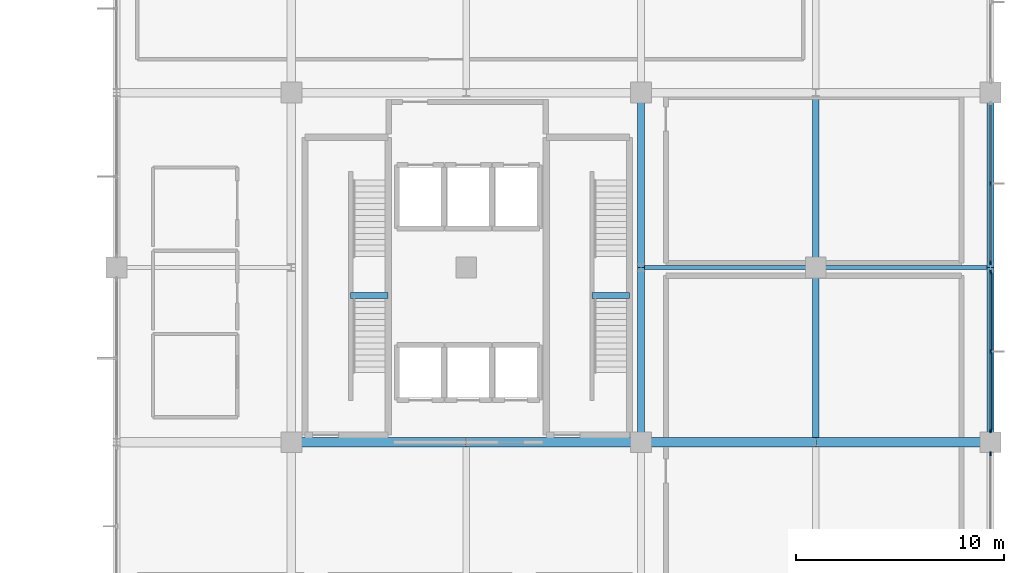
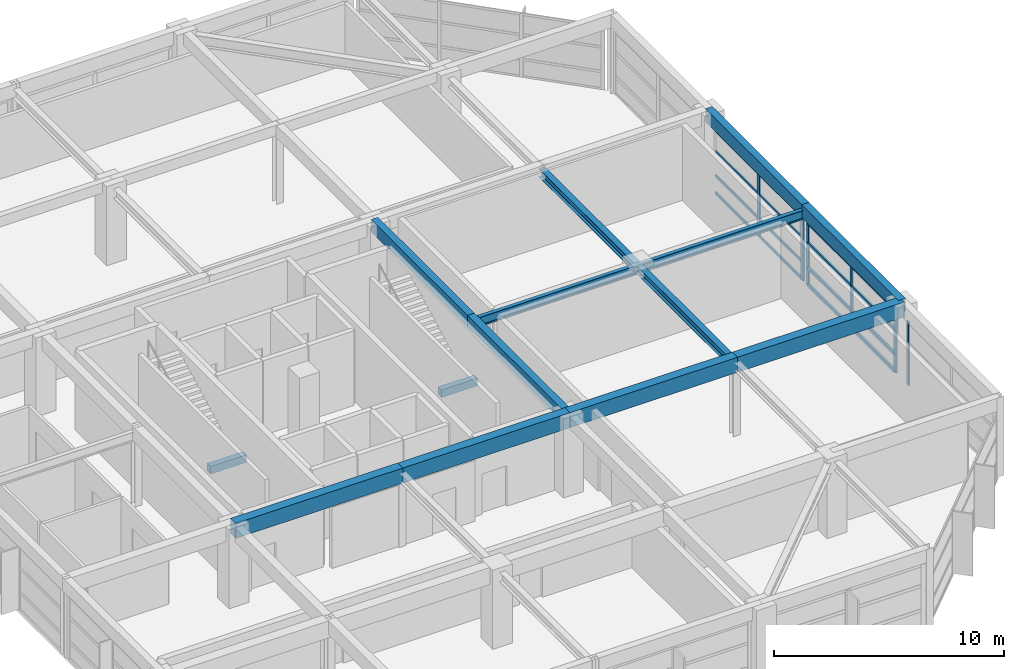
# One storey, part 21 of 32: 22 members, 14 beams, 3 elements without a shape of their own.
"""IFC4 building model written with IfcOpenShell, lengths in metres."""

from ifc_helpers import new_model, si_unit, direction, frame, origin, origin_2d, place, context, subcontext, project, spatial, rectangle, i_section, extrude, material, material_profile, profile_set, type_object, element, aggregate, save


model = new_model("IFC4")

# Units and contexts
model_context = context("Model", 3, precision=1e-05, world=origin(), true_north=direction((0.0, 1.0)))
body_context = subcontext(model_context, "Body", "Model", "MODEL_VIEW")
ifc_project = project(units=[si_unit("LENGTHUNIT", "METRE"), si_unit("AREAUNIT", "SQUARE_METRE"), si_unit("VOLUMEUNIT", "CUBIC_METRE"), si_unit("PLANEANGLEUNIT", "RADIAN"), si_unit("MASSUNIT", "GRAM", prefix="KILO")], contexts=[model_context])

# Site, building, storey
site_placement = place(None, origin())
site = spatial("IfcSite", under=ifc_project, at=site_placement, CompositionType="ELEMENT")
building_placement = place(site_placement, origin())
building = spatial("IfcBuilding", under=site, at=building_placement, Name="Xuanlan Plaza Opera House", CompositionType="ELEMENT")
storey_placement = place(building_placement, frame((0.0, 0.0, 40.5)))
storey = spatial("IfcBuildingStorey", under=building, at=storey_placement, Name="L09", CompositionType="ELEMENT", Elevation=40.5)

# Curtain wall, member
ifc_material_1 = material(Name="Anodised Aluminium 6063-T6 and Low-E Glass", Category="aluminium")
curtain_wall_type_1 = type_object("IfcCurtainWallType", Name="ENV-CW-CW-01", PredefinedType="USERDEFINED", material=ifc_material_1)
curtain_wall_1_placement = place(storey_placement, origin())
curtain_wall_1 = element("IfcCurtainWall", 1, at=curtain_wall_1_placement, inside=storey, type_object=curtain_wall_type_1, Name="Unitised Curtain Wall L09-006", ObjectType="UNITISED CURTAIN WALL", PredefinedType="USERDEFINED")
ifc_material_2 = material(Name="Anodised Aluminium 6063-T6", Category="aluminium")
ifc_material_profile_1 = material_profile(ifc_material_2, rectangle(XDim=0.070068359375, YDim=0.179931640625, at=origin_2d()), Name="ALU-M 70x180")
ifc_profile_set_1 = profile_set([ifc_material_profile_1], Name="Anodised Aluminium 6063-T6")
member_type_1 = type_object("IfcMemberType", Name="ENV-CWM-02", PredefinedType="MULLION", material=ifc_profile_set_1)
member_1_placement = place(storey_placement, frame((168.0, 49.844970703125, 0.0), z_axis=(0.0, 0.0, 1.0), x_axis=(-1.0, 0.0, 0.0)))
member_1 = element("IfcMember", 2, at=member_1_placement, type_object=member_type_1, Name="CW-01 mullion 3", PredefinedType="MULLION", context=body_context, shape_type="SweptSolid", body=[
    extrude(rectangle(XDim=0.070068359375, YDim=0.179931640625, at=origin_2d()), origin(), (0.0, 0.0, 1.0), 3.3798828125),
])
aggregate(curtain_wall_1, [member_1])

# Curtain wall, members
curtain_wall_type_2 = type_object("IfcCurtainWallType", Name="ENV-CW-CW-02", PredefinedType="USERDEFINED", material=ifc_material_1)
curtain_wall_2_placement = place(storey_placement, origin())
curtain_wall_2 = element("IfcCurtainWall", 3, at=curtain_wall_2_placement, inside=storey, type_object=curtain_wall_type_2, Name="Unitised Curtain Wall L09-007", ObjectType="UNITISED CURTAIN WALL", PredefinedType="USERDEFINED")
ifc_material_profile_2 = material_profile(ifc_material_2, rectangle(XDim=0.074951171875, YDim=0.199951171875, at=origin_2d()), Name="ALU-M 75x200")
ifc_profile_set_2 = profile_set([ifc_material_profile_2], Name="Anodised Aluminium 6063-T6")
member_type_2 = type_object("IfcMemberType", Name="ENV-CWM-03", PredefinedType="MULLION", material=ifc_profile_set_2)
member_2_placement = place(storey_placement, frame((168.0, 50.95751953125, 0.0), z_axis=(0.0, 0.0, 1.0), x_axis=(-1.0, 0.0, 0.0)))
member_2 = element("IfcMember", 4, at=member_2_placement, type_object=member_type_2, Name="CW-02 mullion 1", PredefinedType="MULLION", context=body_context, shape_type="SweptSolid", body=[
    extrude(rectangle(XDim=0.074951171875, YDim=0.199951171875, at=origin_2d()), origin(), (0.0, 0.0, 1.0), 3.3798828125),
])
member_3_placement = place(storey_placement, frame((168.0, 54.762451171875, 0.0), z_axis=(0.0, 0.0, 1.0), x_axis=(-1.0, 0.0, 0.0)))
member_3 = element("IfcMember", 5, at=member_3_placement, type_object=member_type_2, Name="CW-02 mullion 2", PredefinedType="MULLION", context=body_context, shape_type="SweptSolid", body=[
    extrude(rectangle(XDim=0.074951171875, YDim=0.199951171875, at=origin_2d()), origin(), (0.0, 0.0, 1.0), 3.3798828125),
])
member_4_placement = place(storey_placement, frame((168.0, 58.5673828125, 0.0), z_axis=(0.0, 0.0, 1.0), x_axis=(-1.0, 0.0, 0.0)))
member_4 = element("IfcMember", 6, at=member_4_placement, type_object=member_type_2, Name="CW-02 mullion 3", PredefinedType="MULLION", context=body_context, shape_type="SweptSolid", body=[
    extrude(rectangle(XDim=0.074951171875, YDim=0.199951171875, at=origin_2d()), origin(), (0.0, 0.0, 1.0), 3.3798828125),
])

curtain_wall_type_3 = type_object("IfcCurtainWallType", Name="ENV-CW-CW-03", PredefinedType="USERDEFINED", material=ifc_material_1)
curtain_wall_3_placement = place(storey_placement, origin())
curtain_wall_3 = element("IfcCurtainWall", 7, at=curtain_wall_3_placement, inside=storey, type_object=curtain_wall_type_3, Name="Unitised Curtain Wall L09-008", ObjectType="UNITISED CURTAIN WALL", PredefinedType="USERDEFINED")
ifc_material_profile_3 = material_profile(ifc_material_2, rectangle(XDim=0.080078125, YDim=0.219970703125, at=origin_2d()), Name="ALU-M 80x220")
ifc_profile_set_3 = profile_set([ifc_material_profile_3], Name="Anodised Aluminium 6063-T6")
member_type_3 = type_object("IfcMemberType", Name="ENV-CWM-04", PredefinedType="MULLION", material=ifc_profile_set_3)
member_5_placement = place(storey_placement, frame((168.0, 59.034912109375, 0.0), z_axis=(0.0, 0.0, 1.0), x_axis=(-1.0, 0.0, 0.0)))
member_5 = element("IfcMember", 8, at=member_5_placement, type_object=member_type_3, Name="CW-03 mullion 1", PredefinedType="MULLION", context=body_context, shape_type="SweptSolid", body=[
    extrude(rectangle(XDim=0.080078125, YDim=0.219970703125, at=origin_2d()), origin(), (0.0, 0.0, 1.0), 3.3798828125),
])
member_6_placement = place(storey_placement, frame((168.0, 62.83740234375, 0.0), z_axis=(0.0, 0.0, 1.0), x_axis=(-1.0, 0.0, 0.0)))
member_6 = element("IfcMember", 9, at=member_6_placement, type_object=member_type_3, Name="CW-03 mullion 2", PredefinedType="MULLION", context=body_context, shape_type="SweptSolid", body=[
    extrude(rectangle(XDim=0.080078125, YDim=0.219970703125, at=origin_2d()), origin(), (0.0, 0.0, 1.0), 3.3798828125),
])
ifc_material_profile_4 = material_profile(ifc_material_2, rectangle(XDim=0.070068359375, YDim=0.135009765625, at=origin_2d()), Name="ALU-T 70x135")
ifc_profile_set_4 = profile_set([ifc_material_profile_4], Name="Anodised Aluminium 6063-T6")
member_type_4 = type_object("IfcMemberType", Name="ENV-CWT-02", PredefinedType="USERDEFINED", material=ifc_profile_set_4)
member_7_placement = place(storey_placement, frame((168.0, 59.074951171875, 0.034912109375), z_axis=(0.0, 1.0, 0.0), x_axis=(-1.0, 0.0, 0.0)))
member_7 = element("IfcMember", 10, at=member_7_placement, type_object=member_type_4, Name="CW-03 transom 1.1", ObjectType="TRANSOM", PredefinedType="USERDEFINED", context=body_context, shape_type="SweptSolid", body=[
    extrude(rectangle(XDim=0.070068359375, YDim=0.135009765625, at=origin_2d()), origin(), (0.0, 0.0, 1.0), 3.72265625),
])
member_8_placement = place(storey_placement, frame((168.0, 59.074951171875, 0.949951171875), z_axis=(0.0, 1.0, 0.0), x_axis=(-1.0, 0.0, 0.0)))
member_8 = element("IfcMember", 11, at=member_8_placement, type_object=member_type_4, Name="CW-03 transom 1.2", ObjectType="TRANSOM", PredefinedType="USERDEFINED", context=body_context, shape_type="SweptSolid", body=[
    extrude(rectangle(XDim=0.070068359375, YDim=0.135009765625, at=origin_2d()), origin(), (0.0, 0.0, 1.0), 3.72265625),
])
member_9_placement = place(storey_placement, frame((168.0, 59.074951171875, 2.25), z_axis=(0.0, 1.0, 0.0), x_axis=(-1.0, 0.0, 0.0)))
member_9 = element("IfcMember", 12, at=member_9_placement, type_object=member_type_4, Name="CW-03 transom 1.3", ObjectType="TRANSOM", PredefinedType="USERDEFINED", context=body_context, shape_type="SweptSolid", body=[
    extrude(rectangle(XDim=0.070068359375, YDim=0.135009765625, at=origin_2d()), origin(), (0.0, 0.0, 1.0), 3.72265625),
])
member_10_placement = place(storey_placement, frame((168.0, 59.074951171875, 3.344970703125), z_axis=(0.0, 1.0, 0.0), x_axis=(-1.0, 0.0, 0.0)))
member_10 = element("IfcMember", 13, at=member_10_placement, type_object=member_type_4, Name="CW-03 transom 1.4", ObjectType="TRANSOM", PredefinedType="USERDEFINED", context=body_context, shape_type="SweptSolid", body=[
    extrude(rectangle(XDim=0.070068359375, YDim=0.135009765625, at=origin_2d()), origin(), (0.0, 0.0, 1.0), 3.72265625),
])
member_11_placement = place(storey_placement, frame((168.0, 62.87744140625, 0.034912109375), z_axis=(0.0, 1.0, 0.0), x_axis=(-1.0, 0.0, 0.0)))
member_11 = element("IfcMember", 14, at=member_11_placement, type_object=member_type_4, Name="CW-03 transom 2.1", ObjectType="TRANSOM", PredefinedType="USERDEFINED", context=body_context, shape_type="SweptSolid", body=[
    extrude(rectangle(XDim=0.070068359375, YDim=0.135009765625, at=origin_2d()), origin(), (0.0, 0.0, 1.0), 3.72265625),
])
member_12_placement = place(storey_placement, frame((168.0, 62.87744140625, 0.949951171875), z_axis=(0.0, 1.0, 0.0), x_axis=(-1.0, 0.0, 0.0)))
member_12 = element("IfcMember", 15, at=member_12_placement, type_object=member_type_4, Name="CW-03 transom 2.2", ObjectType="TRANSOM", PredefinedType="USERDEFINED", context=body_context, shape_type="SweptSolid", body=[
    extrude(rectangle(XDim=0.070068359375, YDim=0.135009765625, at=origin_2d()), origin(), (0.0, 0.0, 1.0), 3.72265625),
])
member_13_placement = place(storey_placement, frame((168.0, 62.87744140625, 2.25), z_axis=(0.0, 1.0, 0.0), x_axis=(-1.0, 0.0, 0.0)))
member_13 = element("IfcMember", 16, at=member_13_placement, type_object=member_type_4, Name="CW-03 transom 2.3", ObjectType="TRANSOM", PredefinedType="USERDEFINED", context=body_context, shape_type="SweptSolid", body=[
    extrude(rectangle(XDim=0.070068359375, YDim=0.135009765625, at=origin_2d()), origin(), (0.0, 0.0, 1.0), 3.72265625),
])
member_14_placement = place(storey_placement, frame((168.0, 62.87744140625, 3.344970703125), z_axis=(0.0, 1.0, 0.0), x_axis=(-1.0, 0.0, 0.0)))
member_14 = element("IfcMember", 17, at=member_14_placement, type_object=member_type_4, Name="CW-03 transom 2.4", ObjectType="TRANSOM", PredefinedType="USERDEFINED", context=body_context, shape_type="SweptSolid", body=[
    extrude(rectangle(XDim=0.070068359375, YDim=0.135009765625, at=origin_2d()), origin(), (0.0, 0.0, 1.0), 3.72265625),
])
aggregate(curtain_wall_3, [member_5, member_6, member_7, member_8, member_9, member_10, member_11, member_12, member_13, member_14])

# Member
ifc_material_profile_5 = material_profile(ifc_material_2, rectangle(XDim=0.090087890625, YDim=0.179931640625, at=origin_2d()), Name="ALU-T 90x180")
ifc_profile_set_5 = profile_set([ifc_material_profile_5], Name="Anodised Aluminium 6063-T6")
member_type_5 = type_object("IfcMemberType", Name="ENV-CWT-05", PredefinedType="USERDEFINED", material=ifc_profile_set_5)
member_15_placement = place(storey_placement, frame((168.0, 50.9951171875, 0.044921875), z_axis=(0.0, 1.0, 0.0), x_axis=(-1.0, 0.0, 0.0)))
member_15 = element("IfcMember", 18, at=member_15_placement, type_object=member_type_5, Name="CW-02 transom 1.1", ObjectType="TRANSOM", PredefinedType="USERDEFINED", context=body_context, shape_type="SweptSolid", body=[
    extrude(rectangle(XDim=0.090087890625, YDim=0.179931640625, at=origin_2d()), origin(), (0.0, 0.0, 1.0), 3.72998046875),
])

member_16_placement = place(storey_placement, frame((168.0, 50.9951171875, 0.949951171875), z_axis=(0.0, 1.0, 0.0), x_axis=(-1.0, 0.0, 0.0)))
member_16 = element("IfcMember", 19, at=member_16_placement, type_object=member_type_5, Name="CW-02 transom 1.2", ObjectType="TRANSOM", PredefinedType="USERDEFINED", context=body_context, shape_type="SweptSolid", body=[
    extrude(rectangle(XDim=0.090087890625, YDim=0.179931640625, at=origin_2d()), origin(), (0.0, 0.0, 1.0), 3.72998046875),
])

member_17_placement = place(storey_placement, frame((168.0, 50.9951171875, 2.25), z_axis=(0.0, 1.0, 0.0), x_axis=(-1.0, 0.0, 0.0)))
member_17 = element("IfcMember", 20, at=member_17_placement, type_object=member_type_5, Name="CW-02 transom 1.3", ObjectType="TRANSOM", PredefinedType="USERDEFINED", context=body_context, shape_type="SweptSolid", body=[
    extrude(rectangle(XDim=0.090087890625, YDim=0.179931640625, at=origin_2d()), origin(), (0.0, 0.0, 1.0), 3.72998046875),
])

member_18_placement = place(storey_placement, frame((168.0, 50.9951171875, 3.3349609375), z_axis=(0.0, 1.0, 0.0), x_axis=(-1.0, 0.0, 0.0)))
member_18 = element("IfcMember", 21, at=member_18_placement, type_object=member_type_5, Name="CW-02 transom 1.4", ObjectType="TRANSOM", PredefinedType="USERDEFINED", context=body_context, shape_type="SweptSolid", body=[
    extrude(rectangle(XDim=0.090087890625, YDim=0.179931640625, at=origin_2d()), origin(), (0.0, 0.0, 1.0), 3.72998046875),
])

member_19_placement = place(storey_placement, frame((168.0, 54.800048828125, 0.044921875), z_axis=(0.0, 1.0, 0.0), x_axis=(-1.0, 0.0, 0.0)))
member_19 = element("IfcMember", 22, at=member_19_placement, type_object=member_type_5, Name="CW-02 transom 2.1", ObjectType="TRANSOM", PredefinedType="USERDEFINED", context=body_context, shape_type="SweptSolid", body=[
    extrude(rectangle(XDim=0.090087890625, YDim=0.179931640625, at=origin_2d()), origin(), (0.0, 0.0, 1.0), 3.72998046875),
])

member_20_placement = place(storey_placement, frame((168.0, 54.800048828125, 0.949951171875), z_axis=(0.0, 1.0, 0.0), x_axis=(-1.0, 0.0, 0.0)))
member_20 = element("IfcMember", 23, at=member_20_placement, type_object=member_type_5, Name="CW-02 transom 2.2", ObjectType="TRANSOM", PredefinedType="USERDEFINED", context=body_context, shape_type="SweptSolid", body=[
    extrude(rectangle(XDim=0.090087890625, YDim=0.179931640625, at=origin_2d()), origin(), (0.0, 0.0, 1.0), 3.72998046875),
])

member_21_placement = place(storey_placement, frame((168.0, 54.800048828125, 2.25), z_axis=(0.0, 1.0, 0.0), x_axis=(-1.0, 0.0, 0.0)))
member_21 = element("IfcMember", 24, at=member_21_placement, type_object=member_type_5, Name="CW-02 transom 2.3", ObjectType="TRANSOM", PredefinedType="USERDEFINED", context=body_context, shape_type="SweptSolid", body=[
    extrude(rectangle(XDim=0.090087890625, YDim=0.179931640625, at=origin_2d()), origin(), (0.0, 0.0, 1.0), 3.72998046875),
])

member_22_placement = place(storey_placement, frame((168.0, 54.800048828125, 3.3349609375), z_axis=(0.0, 1.0, 0.0), x_axis=(-1.0, 0.0, 0.0)))
member_22 = element("IfcMember", 25, at=member_22_placement, type_object=member_type_5, Name="CW-02 transom 2.4", ObjectType="TRANSOM", PredefinedType="USERDEFINED", context=body_context, shape_type="SweptSolid", body=[
    extrude(rectangle(XDim=0.090087890625, YDim=0.179931640625, at=origin_2d()), origin(), (0.0, 0.0, 1.0), 3.72998046875),
])

aggregate(curtain_wall_2, [member_2, member_3, member_4, member_15, member_16, member_17, member_18, member_19, member_20, member_21, member_22])

# Beams
ifc_material_3 = material(Name="Concrete C40", Category="concrete")
ifc_material_profile_6 = material_profile(ifc_material_3, rectangle(XDim=0.449951171875, YDim=0.800048828125, at=origin_2d()), Name="RC-BM 450x800")
ifc_profile_set_6 = profile_set([ifc_material_profile_6], Name="Concrete C40")
beam_type_1 = type_object("IfcBeamType", Name="STR-BM-B-05", PredefinedType="BEAM", material=ifc_profile_set_6)
beam_1_placement = place(storey_placement, frame((134.39990234375, 50.39990234375, 3.800048828125), z_axis=(1.0, 0.0, 0.0), x_axis=(0.0, 1.0, 0.0)))
element("IfcBeam", 26, at=beam_1_placement, inside=storey, type_object=beam_type_1, Name="Grid Beam X L09 17-18/G", PredefinedType="BEAM", context=body_context, shape_type="SweptSolid", body=[
    extrude(rectangle(XDim=0.449951171875, YDim=0.800048828125, at=origin_2d()), origin(), (0.0, 0.0, 1.0), 8.400146484375),
])
beam_2_placement = place(storey_placement, frame((142.800048828125, 50.39990234375, 3.800048828125), z_axis=(1.0, 0.0, 0.0), x_axis=(0.0, 1.0, 0.0)))
element("IfcBeam", 27, at=beam_2_placement, inside=storey, type_object=beam_type_1, Name="Grid Beam X L09 18-19/G", PredefinedType="BEAM", context=body_context, shape_type="SweptSolid", body=[
    extrude(rectangle(XDim=0.449951171875, YDim=0.800048828125, at=origin_2d()), origin(), (0.0, 0.0, 1.0), 8.39990234375),
])
beam_3_placement = place(storey_placement, frame((151.199951171875, 50.39990234375, 3.800048828125), z_axis=(1.0, 0.0, 0.0), x_axis=(0.0, 1.0, 0.0)))
element("IfcBeam", 28, at=beam_3_placement, inside=storey, type_object=beam_type_1, Name="Grid Beam X L09 19-20/G", PredefinedType="BEAM", context=body_context, shape_type="SweptSolid", body=[
    extrude(rectangle(XDim=0.449951171875, YDim=0.800048828125, at=origin_2d()), origin(), (0.0, 0.0, 1.0), 8.400146484375),
])
beam_4_placement = place(storey_placement, frame((159.60009765625, 50.39990234375, 3.800048828125), z_axis=(1.0, 0.0, 0.0), x_axis=(0.0, 1.0, 0.0)))
element("IfcBeam", 29, at=beam_4_placement, inside=storey, type_object=beam_type_1, Name="Grid Beam X L09 20-21/G", PredefinedType="BEAM", context=body_context, shape_type="SweptSolid", body=[
    extrude(rectangle(XDim=0.449951171875, YDim=0.800048828125, at=origin_2d()), origin(), (0.0, 0.0, 1.0), 8.39990234375),
])
ifc_material_profile_7 = material_profile(ifc_material_3, rectangle(XDim=0.35009765625, YDim=0.64990234375, at=origin_2d()), Name="RC-BM 350x650")
ifc_profile_set_7 = profile_set([ifc_material_profile_7], Name="Concrete C40")
beam_type_2 = type_object("IfcBeamType", Name="STR-BM-B-08", PredefinedType="BEAM", material=ifc_profile_set_7)
beam_5_placement = place(storey_placement, frame((151.199951171875, 50.39990234375, 3.875), z_axis=(0.0, 1.0, 0.0), x_axis=(-1.0, 0.0, 0.0)))
element("IfcBeam", 30, at=beam_5_placement, inside=storey, type_object=beam_type_2, Name="Grid Beam Y L09 19/G-H", PredefinedType="BEAM", context=body_context, shape_type="SweptSolid", body=[
    extrude(rectangle(XDim=0.35009765625, YDim=0.64990234375, at=origin_2d()), origin(), (0.0, 0.0, 1.0), 8.400146484375),
])
beam_6_placement = place(storey_placement, frame((151.199951171875, 58.800048828125, 3.875), z_axis=(0.0, 1.0, 0.0), x_axis=(-1.0, 0.0, 0.0)))
element("IfcBeam", 31, at=beam_6_placement, inside=storey, type_object=beam_type_2, Name="Grid Beam Y L09 19/H-I", PredefinedType="BEAM", context=body_context, shape_type="SweptSolid", body=[
    extrude(rectangle(XDim=0.35009765625, YDim=0.64990234375, at=origin_2d()), origin(), (0.0, 0.0, 1.0), 8.39990234375),
])
ifc_material_profile_8 = material_profile(ifc_material_3, rectangle(XDim=0.300048828125, YDim=0.39990234375, at=origin_2d()), Name="RC-LNT 300x400")
ifc_profile_set_8 = profile_set([ifc_material_profile_8], Name="Concrete C40")
beam_type_3 = type_object("IfcBeamType", Name="STR-BM-LN-01", PredefinedType="LINTEL", material=ifc_profile_set_8)
beam_7_placement = place(storey_placement, frame((137.25, 57.445068359375, 1.699951171875), z_axis=(1.0, 0.0, 0.0), x_axis=(0.0, 1.0, 0.0)))
element("IfcBeam", 32, at=beam_7_placement, inside=storey, type_object=beam_type_3, Name="Stair Mid-Landing Trimmer Beam ST-T1 L09", PredefinedType="LINTEL", context=body_context, shape_type="SweptSolid", body=[
    extrude(rectangle(XDim=0.300048828125, YDim=0.39990234375, at=origin_2d()), origin(), (0.0, 0.0, 1.0), 1.800048828125),
])
beam_8_placement = place(storey_placement, frame((148.85009765625, 57.445068359375, 1.699951171875), z_axis=(1.0, 0.0, 0.0), x_axis=(0.0, 1.0, 0.0)))
element("IfcBeam", 33, at=beam_8_placement, inside=storey, type_object=beam_type_3, Name="Stair Mid-Landing Trimmer Beam ST-T2 L09", PredefinedType="LINTEL", context=body_context, shape_type="SweptSolid", body=[
    extrude(rectangle(XDim=0.300048828125, YDim=0.39990234375, at=origin_2d()), origin(), (0.0, 0.0, 1.0), 1.7998046875),
])
ifc_material_4 = material(Name="Steel Q355B", Category="steel")
ifc_material_profile_9 = material_profile(ifc_material_4, i_section(OverallWidth=0.199951171875, OverallDepth=0.5, WebThickness=0.010009765625, FlangeThickness=0.01611328125, FilletRadius=0.02001953125, at=origin_2d()), Name="HN 500x200x10x16")
ifc_profile_set_9 = profile_set([ifc_material_profile_9], Name="Steel Q355B")
beam_type_4 = type_object("IfcBeamType", Name="STR-BM-SB-05", PredefinedType="BEAM", material=ifc_profile_set_9)
beam_9_placement = place(storey_placement, frame((151.199951171875, 58.800048828125, 3.705078125), z_axis=(1.0, 0.0, 0.0), x_axis=(0.0, 1.0, 0.0)))
element("IfcBeam", 34, at=beam_9_placement, inside=storey, type_object=beam_type_4, Name="Grid Beam X L09 19-20/H", PredefinedType="BEAM", context=body_context, shape_type="SweptSolid", body=[
    extrude(i_section(OverallWidth=0.199951171875, OverallDepth=0.5, WebThickness=0.010009765625, FlangeThickness=0.01611328125, FilletRadius=0.02001953125, at=origin_2d()), origin(), (0.0, 0.0, 1.0), 8.400146484375),
])
beam_10_placement = place(storey_placement, frame((159.60009765625, 58.800048828125, 3.705078125), z_axis=(1.0, 0.0, 0.0), x_axis=(0.0, 1.0, 0.0)))
element("IfcBeam", 35, at=beam_10_placement, inside=storey, type_object=beam_type_4, Name="Grid Beam X L09 20-21/H", PredefinedType="BEAM", context=body_context, shape_type="SweptSolid", body=[
    extrude(i_section(OverallWidth=0.199951171875, OverallDepth=0.5, WebThickness=0.010009765625, FlangeThickness=0.01611328125, FilletRadius=0.02001953125, at=origin_2d()), origin(), (0.0, 0.0, 1.0), 8.39990234375),
])
ifc_material_profile_10 = material_profile(ifc_material_4, i_section(OverallWidth=0.300048828125, OverallDepth=0.43994140625, WebThickness=0.010986328125, FlangeThickness=0.01806640625, FilletRadius=0.02001953125, at=origin_2d()), Name="HM 440x300x11x18")
ifc_profile_set_10 = profile_set([ifc_material_profile_10], Name="Steel Q355B")
beam_type_5 = type_object("IfcBeamType", Name="STR-BM-SB-08", PredefinedType="BEAM", material=ifc_profile_set_10)
beam_11_placement = place(storey_placement, frame((159.60009765625, 50.39990234375, 3.735107421875), z_axis=(0.0, 1.0, 0.0), x_axis=(-1.0, 0.0, 0.0)))
element("IfcBeam", 36, at=beam_11_placement, inside=storey, type_object=beam_type_5, Name="Grid Beam Y L09 20/G-H", PredefinedType="BEAM", context=body_context, shape_type="SweptSolid", body=[
    extrude(i_section(OverallWidth=0.300048828125, OverallDepth=0.43994140625, WebThickness=0.010986328125, FlangeThickness=0.01806640625, FilletRadius=0.02001953125, at=origin_2d()), origin(), (0.0, 0.0, 1.0), 8.400146484375),
])
beam_12_placement = place(storey_placement, frame((159.60009765625, 58.800048828125, 3.735107421875), z_axis=(0.0, 1.0, 0.0), x_axis=(-1.0, 0.0, 0.0)))
element("IfcBeam", 37, at=beam_12_placement, inside=storey, type_object=beam_type_5, Name="Grid Beam Y L09 20/H-I", PredefinedType="BEAM", context=body_context, shape_type="SweptSolid", body=[
    extrude(i_section(OverallWidth=0.300048828125, OverallDepth=0.43994140625, WebThickness=0.010986328125, FlangeThickness=0.01806640625, FilletRadius=0.02001953125, at=origin_2d()), origin(), (0.0, 0.0, 1.0), 8.39990234375),
])
ifc_material_profile_11 = material_profile(ifc_material_3, rectangle(XDim=0.35009765625, YDim=0.699951171875, at=origin_2d()), Name="RC-SPD 350x700")
ifc_profile_set_11 = profile_set([ifc_material_profile_11], Name="Concrete C40")
beam_type_6 = type_object("IfcBeamType", Name="STR-BM-SP-02", PredefinedType="SPANDREL", material=ifc_profile_set_11)
beam_13_placement = place(storey_placement, frame((168.0, 50.39990234375, 3.85009765625), z_axis=(0.0, 1.0, 0.0), x_axis=(-1.0, 0.0, 0.0)))
element("IfcBeam", 38, at=beam_13_placement, inside=storey, type_object=beam_type_6, Name="Grid Beam Y L09 21/G-H", PredefinedType="SPANDREL", context=body_context, shape_type="SweptSolid", body=[
    extrude(rectangle(XDim=0.35009765625, YDim=0.699951171875, at=origin_2d()), origin(), (0.0, 0.0, 1.0), 8.400146484375),
])
beam_14_placement = place(storey_placement, frame((168.0, 58.800048828125, 3.85009765625), z_axis=(0.0, 1.0, 0.0), x_axis=(-1.0, 0.0, 0.0)))
element("IfcBeam", 39, at=beam_14_placement, inside=storey, type_object=beam_type_6, Name="Grid Beam Y L09 21/H-I", PredefinedType="SPANDREL", context=body_context, shape_type="SweptSolid", body=[
    extrude(rectangle(XDim=0.35009765625, YDim=0.699951171875, at=origin_2d()), origin(), (0.0, 0.0, 1.0), 8.39990234375),
])

save(model, "model.ifc")
